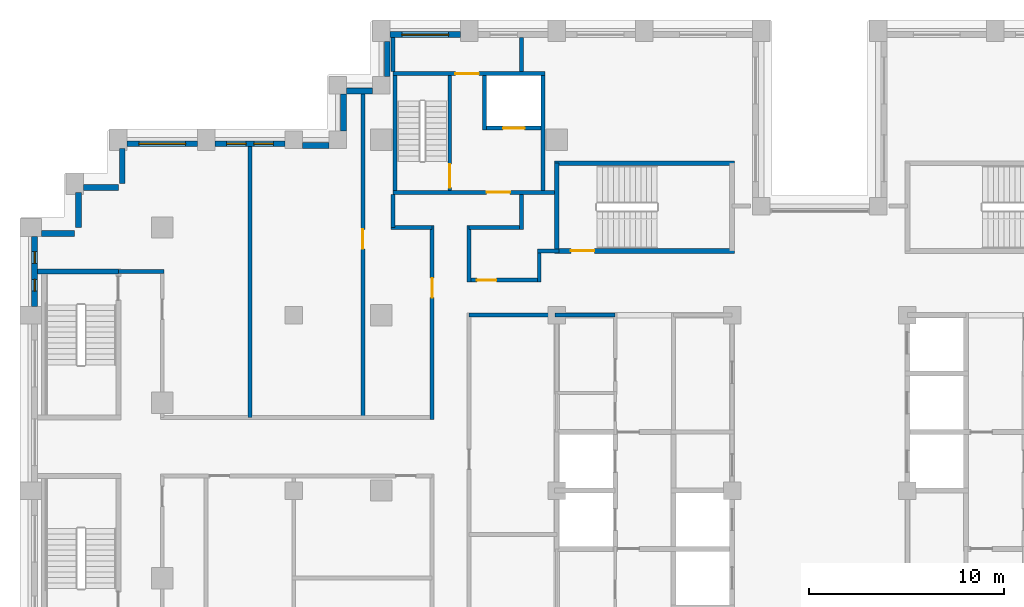
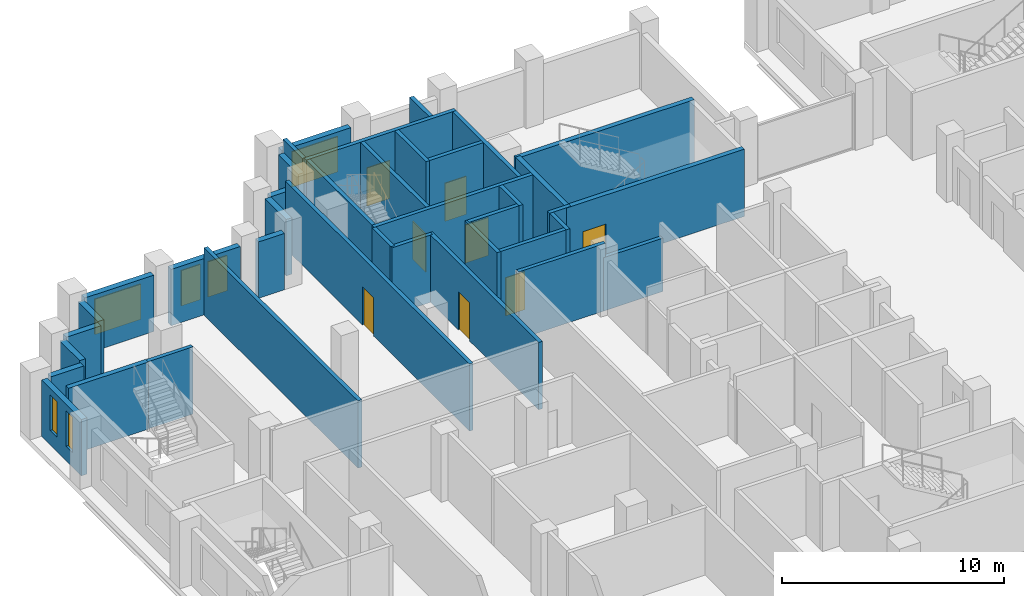
# One storey, part 10 of 16: 39 walls, 8 doors, 6 windows, 14 openings.
"""IFC4 building model written with IfcOpenShell, lengths in metres."""

from ifc_helpers import new_model, si_unit, direction, frame, frame_2d, origin, place, context, subcontext, project, spatial, rectangle, extrude, material, layer, layer_set, type_object, element, fill, save


model = new_model("IFC4")

# Units and contexts
model_context = context("Model", 3, precision=1e-05, world=origin(), true_north=direction((0.0, 1.0)))
body_context = subcontext(model_context, "Body", "Model", "MODEL_VIEW")
ifc_project = project(units=[si_unit("LENGTHUNIT", "METRE"), si_unit("AREAUNIT", "SQUARE_METRE"), si_unit("VOLUMEUNIT", "CUBIC_METRE"), si_unit("PLANEANGLEUNIT", "RADIAN"), si_unit("MASSUNIT", "GRAM", prefix="KILO")], contexts=[model_context])

# Site, building, storey
site_placement = place(None, origin())
site = spatial("IfcSite", under=ifc_project, at=site_placement, CompositionType="ELEMENT")
building_placement = place(site_placement, origin())
building = spatial("IfcBuilding", under=site, at=building_placement, Name="Corbelhall Arena Tower", CompositionType="ELEMENT")
storey_placement = place(building_placement, frame((0.0, 0.0, 150.0)))
storey = spatial("IfcBuildingStorey", under=building, at=storey_placement, Name="L29", CompositionType="ELEMENT", Elevation=150.0)

# Walls
ifc_material_1 = material(Name="Precast concrete C40/50 with granite facing", Category="masonry")
ifc_layer_1 = layer(ifc_material_1, 0.300048828125)
ifc_layer_set_1 = layer_set([ifc_layer_1], Name="EV-IW1 Infill panel 300")
wall_type_1 = type_object("IfcWallType", Name="EV-IW1 Infill panel 300", PredefinedType="SOLIDWALL", material=ifc_layer_set_1)
for number, where, z_axis, x_axis, name in (
    (1, (-35.800048828125, 17.550048828125, 0.0), (0.0, 0.0, 1.0), (0.0, -1.0, 0.0), "Infill panel IW1"),
    (2, (-37.800048828125, 15.550048828125, 0.0), (0.0, 0.0, 1.0), (1.0, 0.0, 0.0), "Infill panel IW1"),
    (3, (-38.050048828125, 15.300048828125, 0.0), (0.0, 0.0, 1.0), (0.0, -1.0, 0.0), "Infill panel IW1"),
):
    element("IfcWall", number, at=place(storey_placement, frame(where, z_axis=z_axis, x_axis=x_axis)), inside=storey, type_object=wall_type_1, Name=name, PredefinedType="SOLIDWALL", context=body_context, shape_type="SweptSolid", body=[
        extrude(rectangle(XDim=1.800048828125, YDim=0.300048828125, at=frame_2d((0.89990234375, 0.0))), origin(), (0.0, 0.0, 1.0), 3.10009765625),
    ])
wall_1_placement = place(storey_placement, frame((-39.949951171875, 13.199951171875, 0.0), z_axis=(0.0, 0.0, 1.0), x_axis=(1.0, 0.0, 0.0)))
element("IfcWall", 4, at=wall_1_placement, inside=storey, type_object=wall_type_1, Name="Infill panel IW1", PredefinedType="SOLIDWALL", context=body_context, shape_type="SweptSolid", body=[
    extrude(rectangle(XDim=1.699951171875, YDim=0.300048828125, at=frame_2d((0.85009765625, 0.0))), origin(), (0.0, 0.0, 1.0), 3.10009765625),
])
wall_2_placement = place(storey_placement, frame((-22.199951171875, 23.050048828125, 0.0), z_axis=(0.0, 0.0, 1.0), x_axis=(0.0, -1.0, 0.0)))
element("IfcWall", 5, at=wall_2_placement, inside=storey, type_object=wall_type_1, Name="Infill panel IW1", PredefinedType="SOLIDWALL", context=body_context, shape_type="SweptSolid", body=[
    extrude(rectangle(XDim=1.800048828125, YDim=0.300048828125, at=frame_2d((0.89990234375, 0.0))), origin(), (0.0, 0.0, 1.0), 3.10009765625),
])
wall_3_placement = place(storey_placement, frame((-22.949951171875, 20.5, 0.0), z_axis=(0.0, 0.0, 1.0), x_axis=(-1.0, 0.0, 0.0)))
element("IfcWall", 6, at=wall_3_placement, inside=storey, type_object=wall_type_1, Name="Infill panel IW1", PredefinedType="SOLIDWALL", context=body_context, shape_type="SweptSolid", body=[
    extrude(rectangle(XDim=1.35009765625, YDim=0.300048828125, at=frame_2d((0.675048828125, 0.0))), origin(), (0.0, 0.0, 1.0), 3.10009765625),
])
wall_4_placement = place(storey_placement, frame((-24.449951171875, 20.35009765625, 0.0), z_axis=(0.0, 0.0, 1.0), x_axis=(0.0, -1.0, 0.0)))
element("IfcWall", 7, at=wall_4_placement, inside=storey, type_object=wall_type_1, Name="Infill panel IW1", PredefinedType="SOLIDWALL", context=body_context, shape_type="SweptSolid", body=[
    extrude(rectangle(XDim=1.900146484375, YDim=0.300048828125, at=frame_2d((0.9501953125, 0.0))), origin(), (0.0, 0.0, 1.0), 3.10009765625),
])
wall_5_placement = place(storey_placement, frame((-25.199951171875, 17.699951171875, 0.0), z_axis=(0.0, 0.0, 1.0), x_axis=(-1.0, 0.0, 0.0)))
element("IfcWall", 8, at=wall_5_placement, inside=storey, type_object=wall_type_1, Name="Infill panel IW1", PredefinedType="SOLIDWALL", context=body_context, shape_type="SweptSolid", body=[
    extrude(rectangle(XDim=1.35009765625, YDim=0.300048828125, at=frame_2d((0.675048828125, 0.0))), origin(), (0.0, 0.0, 1.0), 3.10009765625),
])

# Wall, openings, windows
wall_6_placement = place(storey_placement, frame((-27.449951171875, 17.800048828125, 0.0), z_axis=(0.0, 0.0, 1.0), x_axis=(-1.0, 0.0, 0.0)))
wall_6 = element("IfcWall", 9, at=wall_6_placement, inside=storey, type_object=wall_type_1, Name="Infill panel IW1", PredefinedType="SOLIDWALL", context=body_context, shape_type="SweptSolid", body=[
    extrude(rectangle(XDim=3.60009765625, YDim=0.300048828125, at=frame_2d((1.800048828125, 0.0))), origin(), (0.0, 0.0, 1.0), 3.10009765625),
])
opening_1_placement = place(wall_6_placement, frame((0.60009765625, 0.0, 0.800048828125)))
opening_1 = element("IfcOpeningElement", 10, at=opening_1_placement, cuts=wall_6, Name="Opening WN6", PredefinedType="OPENING", context=body_context, shape_type="SweptSolid", body=[
    extrude(rectangle(XDim=1.0, YDim=1.949951171875, at=frame_2d((0.5, 0.97509765625))), frame((0.0, 0.14990234375, 0.0), z_axis=(0.0, -1.0, 0.0), x_axis=(1.0, 0.0, 0.0)), (0.0, 0.0, 1.0), 0.300048828125),
])
opening_2_placement = place(wall_6_placement, frame((2.0, 0.0, 0.800048828125)))
opening_2 = element("IfcOpeningElement", 11, at=opening_2_placement, cuts=wall_6, Name="Opening WN6", PredefinedType="OPENING", context=body_context, shape_type="SweptSolid", body=[
    extrude(rectangle(XDim=1.0, YDim=1.949951171875, at=frame_2d((0.5, 0.97509765625))), frame((0.0, 0.14990234375, 0.0), z_axis=(0.0, -1.0, 0.0), x_axis=(1.0, 0.0, 0.0)), (0.0, 0.0, 1.0), 0.300048828125),
])
ifc_material_2 = material(Name="Aluminium black anodised", Category="aluminium")
window_type_1 = type_object("IfcWindowType", Name="EV-WN6 Office window 1000", PartitioningType="SINGLE_PANEL", PredefinedType="WINDOW", material=ifc_material_2)
window_1_placement = place(opening_1_placement, origin())
window_1 = element("IfcWindow", 12, at=window_1_placement, inside=storey, type_object=window_type_1, Name="Window WN6", OverallHeight=1.949951171875, OverallWidth=1.0, PartitioningType="SINGLE_PANEL", PredefinedType="WINDOW", context=body_context, shape_type="SweptSolid", body=[
    extrude(rectangle(XDim=1.0, YDim=1.949951171875, at=frame_2d((0.5, 0.97509765625))), frame((0.0, 0.030029296875, 0.0), z_axis=(0.0, -1.0, 0.0), x_axis=(1.0, 0.0, 0.0)), (0.0, 0.0, 1.0), 0.06005859375),
])
fill(opening_1, window_1)
window_2_placement = place(opening_2_placement, origin())
window_2 = element("IfcWindow", 13, at=window_2_placement, inside=storey, type_object=window_type_1, Name="Window WN6", OverallHeight=1.949951171875, OverallWidth=1.0, PartitioningType="SINGLE_PANEL", PredefinedType="WINDOW", context=body_context, shape_type="SweptSolid", body=[
    extrude(rectangle(XDim=1.0, YDim=1.949951171875, at=frame_2d((0.5, 0.97509765625))), frame((0.0, 0.030029296875, 0.0), z_axis=(0.0, -1.0, 0.0), x_axis=(1.0, 0.0, 0.0)), (0.0, 0.0, 1.0), 0.06005859375),
])
fill(opening_2, window_2)

# Wall, opening, window
wall_7_placement = place(storey_placement, frame((-31.949951171875, 17.800048828125, 0.0), z_axis=(0.0, 0.0, 1.0), x_axis=(-1.0, 0.0, 0.0)))
wall_7 = element("IfcWall", 14, at=wall_7_placement, inside=storey, type_object=wall_type_1, Name="Infill panel IW1", PredefinedType="SOLIDWALL", context=body_context, shape_type="SweptSolid", body=[
    extrude(rectangle(XDim=3.60009765625, YDim=0.300048828125, at=frame_2d((1.800048828125, 0.0))), origin(), (0.0, 0.0, 1.0), 3.10009765625),
])
opening_3_placement = place(wall_7_placement, frame((0.60009765625, 0.0, 0.800048828125)))
opening_3 = element("IfcOpeningElement", 15, at=opening_3_placement, cuts=wall_7, Name="Opening WN1", PredefinedType="OPENING", context=body_context, shape_type="SweptSolid", body=[
    extrude(rectangle(XDim=2.39990234375, YDim=1.949951171875, at=frame_2d((1.199951171875, 0.97509765625))), frame((0.0, 0.14990234375, 0.0), z_axis=(0.0, -1.0, 0.0), x_axis=(1.0, 0.0, 0.0)), (0.0, 0.0, 1.0), 0.300048828125),
])
window_type_2 = type_object("IfcWindowType", Name="EV-WN1 Office window", PartitioningType="SINGLE_PANEL", PredefinedType="WINDOW", material=ifc_material_2)
window_3_placement = place(opening_3_placement, origin())
window_3 = element("IfcWindow", 16, at=window_3_placement, inside=storey, type_object=window_type_2, Name="Window WN1", OverallHeight=1.949951171875, OverallWidth=2.39990234375, PartitioningType="SINGLE_PANEL", PredefinedType="WINDOW", context=body_context, shape_type="SweptSolid", body=[
    extrude(rectangle(XDim=2.39990234375, YDim=1.949951171875, at=frame_2d((1.199951171875, 0.97509765625))), frame((0.0, 0.030029296875, 0.0), z_axis=(0.0, -1.0, 0.0), x_axis=(1.0, 0.0, 0.0)), (0.0, 0.0, 1.0), 0.06005859375),
])
fill(opening_3, window_3)

# Wall, openings, windows
wall_8_placement = place(storey_placement, frame((-40.300048828125, 13.050048828125, 0.0), z_axis=(0.0, 0.0, 1.0), x_axis=(0.0, -1.0, 0.0)))
wall_8 = element("IfcWall", 17, at=wall_8_placement, inside=storey, type_object=wall_type_1, Name="Infill panel IW1", PredefinedType="SOLIDWALL", context=body_context, shape_type="SweptSolid", body=[
    extrude(rectangle(XDim=3.60009765625, YDim=0.300048828125, at=frame_2d((1.800048828125, 0.0))), origin(), (0.0, 0.0, 1.0), 3.10009765625),
])
opening_4_placement = place(wall_8_placement, frame((0.78759765625, 0.0, 0.800048828125)))
opening_4 = element("IfcOpeningElement", 18, at=opening_4_placement, cuts=wall_8, Name="Opening WN5", PredefinedType="OPENING", context=body_context, shape_type="SweptSolid", body=[
    extrude(rectangle(XDim=0.60009765625, YDim=1.949951171875, at=frame_2d((0.300048828125, 0.97509765625))), frame((0.0, 0.14990234375, 0.0), z_axis=(0.0, -1.0, 0.0), x_axis=(1.0, 0.0, 0.0)), (0.0, 0.0, 1.0), 0.300048828125),
])
opening_5_placement = place(wall_8_placement, frame((2.21240234375, 0.0, 0.800048828125)))
opening_5 = element("IfcOpeningElement", 19, at=opening_5_placement, cuts=wall_8, Name="Opening WN5", PredefinedType="OPENING", context=body_context, shape_type="SweptSolid", body=[
    extrude(rectangle(XDim=0.60009765625, YDim=1.949951171875, at=frame_2d((0.300048828125, 0.97509765625))), frame((0.0, 0.14990234375, 0.0), z_axis=(0.0, -1.0, 0.0), x_axis=(1.0, 0.0, 0.0)), (0.0, 0.0, 1.0), 0.300048828125),
])
window_type_3 = type_object("IfcWindowType", Name="EV-WN5 Office window 600", PartitioningType="SINGLE_PANEL", PredefinedType="WINDOW", material=ifc_material_2)
window_4_placement = place(opening_4_placement, origin())
window_4 = element("IfcWindow", 20, at=window_4_placement, inside=storey, type_object=window_type_3, Name="Window WN5", OverallHeight=1.949951171875, OverallWidth=0.60009765625, PartitioningType="SINGLE_PANEL", PredefinedType="WINDOW", context=body_context, shape_type="SweptSolid", body=[
    extrude(rectangle(XDim=0.60009765625, YDim=1.949951171875, at=frame_2d((0.300048828125, 0.97509765625))), frame((0.0, 0.030029296875, 0.0), z_axis=(0.0, -1.0, 0.0), x_axis=(1.0, 0.0, 0.0)), (0.0, 0.0, 1.0), 0.06005859375),
])
fill(opening_4, window_4)
window_5_placement = place(opening_5_placement, origin())
window_5 = element("IfcWindow", 21, at=window_5_placement, inside=storey, type_object=window_type_3, Name="Window WN5", OverallHeight=1.949951171875, OverallWidth=0.60009765625, PartitioningType="SINGLE_PANEL", PredefinedType="WINDOW", context=body_context, shape_type="SweptSolid", body=[
    extrude(rectangle(XDim=0.60009765625, YDim=1.949951171875, at=frame_2d((0.300048828125, 0.97509765625))), frame((0.0, 0.030029296875, 0.0), z_axis=(0.0, -1.0, 0.0), x_axis=(1.0, 0.0, 0.0)), (0.0, 0.0, 1.0), 0.06005859375),
])
fill(opening_5, window_5)

# Wall, opening, window
wall_9_placement = place(storey_placement, frame((-18.449951171875, 23.39990234375, 0.0), z_axis=(0.0, 0.0, 1.0), x_axis=(-1.0, 0.0, 0.0)))
wall_9 = element("IfcWall", 22, at=wall_9_placement, inside=storey, type_object=wall_type_1, Name="Infill panel IW1", PredefinedType="SOLIDWALL", context=body_context, shape_type="SweptSolid", body=[
    extrude(rectangle(XDim=3.60009765625, YDim=0.300048828125, at=frame_2d((1.800048828125, 0.0))), origin(), (0.0, 0.0, 1.0), 3.10009765625),
])
opening_6_placement = place(wall_9_placement, frame((0.60009765625, 0.0, 0.800048828125)))
opening_6 = element("IfcOpeningElement", 23, at=opening_6_placement, cuts=wall_9, Name="Opening WN1", PredefinedType="OPENING", context=body_context, shape_type="SweptSolid", body=[
    extrude(rectangle(XDim=2.39990234375, YDim=1.949951171875, at=frame_2d((1.199951171875, 0.97509765625))), frame((0.0, 0.14990234375, 0.0), z_axis=(0.0, -1.0, 0.0), x_axis=(1.0, 0.0, 0.0)), (0.0, 0.0, 1.0), 0.300048828125),
])
window_6_placement = place(opening_6_placement, origin())
window_6 = element("IfcWindow", 24, at=window_6_placement, inside=storey, type_object=window_type_2, Name="Window WN1", OverallHeight=1.949951171875, OverallWidth=2.39990234375, PartitioningType="SINGLE_PANEL", PredefinedType="WINDOW", context=body_context, shape_type="SweptSolid", body=[
    extrude(rectangle(XDim=2.39990234375, YDim=1.949951171875, at=frame_2d((1.199951171875, 0.97509765625))), frame((0.0, 0.030029296875, 0.0), z_axis=(0.0, -1.0, 0.0), x_axis=(1.0, 0.0, 0.0)), (0.0, 0.0, 1.0), 0.06005859375),
])
fill(opening_6, window_6)

# Walls
ifc_material_3 = material(Name="Gypsum board on steel stud, acoustic", Category="steel")
ifc_layer_2 = layer(ifc_material_3, 0.199951171875)
ifc_layer_set_2 = layer_set([ifc_layer_2], Name="IN-W-DM200")
wall_type_2 = type_object("IfcWallType", Name="IN-W-DM200", PredefinedType="PARTITIONING", material=ifc_layer_set_2)
wall_10_placement = place(storey_placement, frame((-36.0, 11.25, 0.0), z_axis=(0.0, 0.0, 1.0), x_axis=(1.0, 0.0, 0.0)))
element("IfcWall", 25, at=wall_10_placement, inside=storey, type_object=wall_type_2, Name="Partition 001", PredefinedType="PARTITIONING", context=body_context, shape_type="SweptSolid", body=[
    extrude(rectangle(XDim=2.35009765625, YDim=0.199951171875, at=frame_2d((1.175048828125, 0.0))), origin(), (0.0, 0.0, 1.0), 3.699951171875),
])
wall_11_placement = place(storey_placement, frame((-29.25, 3.75, 0.0), z_axis=(0.0, 0.0, 1.0), x_axis=(0.0, 1.0, 0.0)))
element("IfcWall", 26, at=wall_11_placement, inside=storey, type_object=wall_type_2, Name="Partition 008", PredefinedType="PARTITIONING", context=body_context, shape_type="SweptSolid", body=[
    extrude(rectangle(XDim=13.89990234375, YDim=0.199951171875, at=frame_2d((6.949951171875, 0.0))), origin(), (0.0, 0.0, 1.0), 3.699951171875),
])

# Wall, opening, door
wall_12_placement = place(storey_placement, frame((-23.449951171875, 3.75, 0.0), z_axis=(0.0, 0.0, 1.0), x_axis=(0.0, 1.0, 0.0)))
wall_12 = element("IfcWall", 27, at=wall_12_placement, inside=storey, type_object=wall_type_2, Name="Partition 012", PredefinedType="PARTITIONING", context=body_context, shape_type="SweptSolid", body=[
    extrude(rectangle(XDim=16.60009765625, YDim=0.199951171875, at=frame_2d((8.300048828125, 0.0))), origin(), (0.0, 0.0, 1.0), 3.699951171875),
])
opening_7_placement = place(wall_12_placement, frame((8.64990234375, 0.0, 0.0)))
opening_7 = element("IfcOpeningElement", 28, at=opening_7_placement, cuts=wall_12, Name="Opening 08032", PredefinedType="OPENING", context=body_context, shape_type="SweptSolid", body=[
    extrude(rectangle(XDim=1.0, YDim=2.10009765625, at=frame_2d((0.5, 1.050048828125))), frame((0.0, 0.10009765625, 0.0), z_axis=(0.0, -1.0, 0.0), x_axis=(1.0, 0.0, 0.0)), (0.0, 0.0, 1.0), 0.199951171875),
])
ifc_material_4 = material(Name="Steel door set", Category="steel")
door_type_1 = type_object("IfcDoorType", Name="IN-D-SW100", OperationType="NOTDEFINED", PredefinedType="DOOR", material=ifc_material_4)
door_1_placement = place(opening_7_placement, origin())
door_1 = element("IfcDoor", 29, at=door_1_placement, inside=storey, type_object=door_type_1, Name="Door 032", OperationType="SINGLE_SWING_LEFT", OverallHeight=2.10009765625, OverallWidth=1.0, PredefinedType="DOOR", context=body_context, shape_type="SweptSolid", body=[
    extrude(rectangle(XDim=1.0, YDim=2.10009765625, at=frame_2d((0.5, 1.050048828125))), frame((0.0, 0.02490234375, 0.0), z_axis=(0.0, -1.0, 0.0), x_axis=(1.0, 0.0, 0.0)), (0.0, 0.0, 1.0), 0.050048828125),
])
fill(opening_7, door_1)

# Walls
wall_13_placement = place(storey_placement, frame((-21.89990234375, 13.5, 0.0), z_axis=(0.0, 0.0, 1.0), x_axis=(0.0, 1.0, 0.0)))
element("IfcWall", 30, at=wall_13_placement, inside=storey, type_object=wall_type_2, Name="Partition 013", PredefinedType="PARTITIONING", context=body_context, shape_type="SweptSolid", body=[
    extrude(rectangle(XDim=1.699951171875, YDim=0.199951171875, at=frame_2d((0.85009765625, 0.0))), origin(), (0.0, 0.0, 1.0), 3.699951171875),
])
wall_14_placement = place(storey_placement, frame((-21.89990234375, 21.5, 0.0), z_axis=(0.0, 0.0, 1.0), x_axis=(0.0, 1.0, 0.0)))
element("IfcWall", 31, at=wall_14_placement, inside=storey, type_object=wall_type_2, Name="Partition 014", PredefinedType="PARTITIONING", context=body_context, shape_type="SweptSolid", body=[
    extrude(rectangle(XDim=1.75, YDim=0.199951171875, at=frame_2d((0.875, 0.0))), origin(), (0.0, 0.0, 1.0), 3.699951171875),
])

# Wall, opening, door
wall_15_placement = place(storey_placement, frame((-19.89990234375, 3.64990234375, 0.0), z_axis=(0.0, 0.0, 1.0), x_axis=(0.0, 1.0, 0.0)))
wall_15 = element("IfcWall", 32, at=wall_15_placement, inside=storey, type_object=wall_type_2, Name="Partition 016", PredefinedType="PARTITIONING", context=body_context, shape_type="SweptSolid", body=[
    extrude(rectangle(XDim=9.9501953125, YDim=0.199951171875, at=frame_2d((4.97509765625, 0.0))), origin(), (0.0, 0.0, 1.0), 3.699951171875),
])
opening_8_placement = place(wall_15_placement, frame((6.25, 0.0, 0.0)))
opening_8 = element("IfcOpeningElement", 33, at=opening_8_placement, cuts=wall_15, Name="Opening 08031", PredefinedType="OPENING", context=body_context, shape_type="SweptSolid", body=[
    extrude(rectangle(XDim=1.0, YDim=2.10009765625, at=frame_2d((0.5, 1.050048828125))), frame((0.0, 0.10009765625, 0.0), z_axis=(0.0, -1.0, 0.0), x_axis=(1.0, 0.0, 0.0)), (0.0, 0.0, 1.0), 0.199951171875),
])
door_2_placement = place(opening_8_placement, origin())
door_2 = element("IfcDoor", 34, at=door_2_placement, inside=storey, type_object=door_type_1, Name="Door 031", OperationType="SINGLE_SWING_RIGHT", OverallHeight=2.10009765625, OverallWidth=1.0, PredefinedType="DOOR", context=body_context, shape_type="SweptSolid", body=[
    extrude(rectangle(XDim=1.0, YDim=2.10009765625, at=frame_2d((0.5, 1.050048828125))), frame((0.0, 0.02490234375, 0.0), z_axis=(0.0, -1.0, 0.0), x_axis=(1.0, 0.0, 0.0)), (0.0, 0.0, 1.0), 0.050048828125),
])
fill(opening_8, door_2)

# Wall
wall_16_placement = place(storey_placement, frame((-19.89990234375, 13.5, 0.0), z_axis=(0.0, 0.0, 1.0), x_axis=(-1.0, 0.0, 0.0)))
element("IfcWall", 35, at=wall_16_placement, inside=storey, type_object=wall_type_2, Name="Partition 017", PredefinedType="PARTITIONING", context=body_context, shape_type="SweptSolid", body=[
    extrude(rectangle(XDim=2.10009765625, YDim=0.199951171875, at=frame_2d((1.050048828125, 0.0))), origin(), (0.0, 0.0, 1.0), 3.699951171875),
])

# Wall, opening, door
wall_17_placement = place(storey_placement, frame((-18.0, 10.800048828125, 0.0), z_axis=(0.0, 0.0, 1.0), x_axis=(1.0, 0.0, 0.0)))
wall_17 = element("IfcWall", 36, at=wall_17_placement, inside=storey, type_object=wall_type_2, Name="Partition 022", PredefinedType="PARTITIONING", context=body_context, shape_type="SweptSolid", body=[
    extrude(rectangle(XDim=3.60009765625, YDim=0.199951171875, at=frame_2d((1.800048828125, 0.0))), origin(), (0.0, 0.0, 1.0), 3.699951171875),
])
opening_9_placement = place(wall_17_placement, frame((0.39990234375, 0.0, 0.0)))
opening_9 = element("IfcOpeningElement", 37, at=opening_9_placement, cuts=wall_17, Name="Opening 08027", PredefinedType="OPENING", context=body_context, shape_type="SweptSolid", body=[
    extrude(rectangle(XDim=1.0, YDim=2.10009765625, at=frame_2d((0.5, 1.050048828125))), frame((0.0, 0.10009765625, 0.0), z_axis=(0.0, -1.0, 0.0), x_axis=(1.0, 0.0, 0.0)), (0.0, 0.0, 1.0), 0.199951171875),
])
door_3_placement = place(opening_9_placement, origin())
door_3 = element("IfcDoor", 38, at=door_3_placement, inside=storey, type_object=door_type_1, Name="Door 027", OperationType="SINGLE_SWING_RIGHT", OverallHeight=2.10009765625, OverallWidth=1.0, PredefinedType="DOOR", context=body_context, shape_type="SweptSolid", body=[
    extrude(rectangle(XDim=1.0, YDim=2.10009765625, at=frame_2d((0.5, 1.050048828125))), frame((0.0, 0.02490234375, 0.0), z_axis=(0.0, -1.0, 0.0), x_axis=(1.0, 0.0, 0.0)), (0.0, 0.0, 1.0), 0.050048828125),
])
fill(opening_9, door_3)

# Walls
wall_18_placement = place(storey_placement, frame((-18.0, 13.60009765625, 0.0), z_axis=(0.0, 0.0, 1.0), x_axis=(0.0, -1.0, 0.0)))
element("IfcWall", 39, at=wall_18_placement, inside=storey, type_object=wall_type_2, Name="Partition 023", PredefinedType="PARTITIONING", context=body_context, shape_type="SweptSolid", body=[
    extrude(rectangle(XDim=2.900146484375, YDim=0.199951171875, at=frame_2d((1.4501953125, 0.0))), origin(), (0.0, 0.0, 1.0), 3.699951171875),
])
wall_19_placement = place(storey_placement, frame((-15.300048828125, 13.5, 0.0), z_axis=(0.0, 0.0, 1.0), x_axis=(-1.0, 0.0, 0.0)))
element("IfcWall", 40, at=wall_19_placement, inside=storey, type_object=wall_type_2, Name="Partition 024", PredefinedType="PARTITIONING", context=body_context, shape_type="SweptSolid", body=[
    extrude(rectangle(XDim=2.699951171875, YDim=0.199951171875, at=frame_2d((1.35009765625, 0.0))), origin(), (0.0, 0.0, 1.0), 3.699951171875),
])
wall_20_placement = place(storey_placement, frame((-15.300048828125, 15.199951171875, 0.0), z_axis=(0.0, 0.0, 1.0), x_axis=(0.0, -1.0, 0.0)))
element("IfcWall", 41, at=wall_20_placement, inside=storey, type_object=wall_type_2, Name="Partition 025", PredefinedType="PARTITIONING", context=body_context, shape_type="SweptSolid", body=[
    extrude(rectangle(XDim=1.800048828125, YDim=0.199951171875, at=frame_2d((0.89990234375, 0.0))), origin(), (0.0, 0.0, 1.0), 3.699951171875),
])
wall_21_placement = place(storey_placement, frame((-15.300048828125, 23.25, 0.0), z_axis=(0.0, 0.0, 1.0), x_axis=(0.0, -1.0, 0.0)))
element("IfcWall", 42, at=wall_21_placement, inside=storey, type_object=wall_type_2, Name="Partition 026", PredefinedType="PARTITIONING", context=body_context, shape_type="SweptSolid", body=[
    extrude(rectangle(XDim=1.75, YDim=0.199951171875, at=frame_2d((0.875, 0.0))), origin(), (0.0, 0.0, 1.0), 3.699951171875),
])
wall_22_placement = place(storey_placement, frame((-14.5, 12.300048828125, 0.0), z_axis=(0.0, 0.0, 1.0), x_axis=(1.0, 0.0, 0.0)))
element("IfcWall", 43, at=wall_22_placement, inside=storey, type_object=wall_type_2, Name="Partition 027", PredefinedType="PARTITIONING", context=body_context, shape_type="SweptSolid", body=[
    extrude(rectangle(XDim=1.125, YDim=0.199951171875, at=frame_2d((0.5625, 0.0))), origin(), (0.0, 0.0, 1.0), 3.699951171875),
])
wall_23_placement = place(storey_placement, frame((-13.5, 9.0, 0.0), z_axis=(0.0, 0.0, 1.0), x_axis=(-1.0, 0.0, 0.0)))
element("IfcWall", 44, at=wall_23_placement, inside=storey, type_object=wall_type_2, Name="Partition 030", PredefinedType="PARTITIONING", context=body_context, shape_type="SweptSolid", body=[
    extrude(rectangle(XDim=4.5, YDim=0.199951171875, at=frame_2d((2.25, 0.0))), origin(), (0.0, 0.0, 1.0), 3.699951171875),
])
wall_24_placement = place(storey_placement, frame((-14.39990234375, 10.699951171875, 0.0), z_axis=(0.0, 0.0, 1.0), x_axis=(0.0, 1.0, 0.0)))
element("IfcWall", 45, at=wall_24_placement, inside=storey, type_object=wall_type_2, Name="Partition 031", PredefinedType="PARTITIONING", context=body_context, shape_type="SweptSolid", body=[
    extrude(rectangle(XDim=1.60009765625, YDim=0.199951171875, at=frame_2d((0.800048828125, 0.0))), origin(), (0.0, 0.0, 1.0), 3.699951171875),
])

# Wall, opening, door
ifc_material_5 = material(Name="Concrete C40/50", Category="concrete")
ifc_layer_3 = layer(ifc_material_5, 0.199951171875)
ifc_layer_set_3 = layer_set([ifc_layer_3], Name="IN-W-EAR200")
wall_type_3 = type_object("IfcWallType", Name="IN-W-EAR200", PredefinedType="SOLIDWALL", material=ifc_layer_set_3)
wall_25_placement = place(storey_placement, frame((-21.89990234375, 15.300048828125, 0.0), z_axis=(0.0, 0.0, 1.0), x_axis=(1.0, 0.0, 0.0)))
wall_25 = element("IfcWall", 46, at=wall_25_placement, inside=storey, type_object=wall_type_3, Name="Fire service turret wall south", PredefinedType="SOLIDWALL", context=body_context, shape_type="SweptSolid", body=[
    extrude(rectangle(XDim=8.27490234375, YDim=0.199951171875, at=frame_2d((4.137451171875, 0.0))), origin(), (0.0, 0.0, 1.0), 3.699951171875),
])
opening_10_placement = place(wall_25_placement, frame((4.800048828125, 0.0, 0.0)))
opening_10 = element("IfcOpeningElement", 47, at=opening_10_placement, cuts=wall_25, Name="Opening E082", PredefinedType="OPENING", context=body_context, shape_type="SweptSolid", body=[
    extrude(rectangle(XDim=1.199951171875, YDim=2.10009765625, at=frame_2d((0.60009765625, 1.050048828125))), frame((0.0, 0.10009765625, 0.0), z_axis=(0.0, -1.0, 0.0), x_axis=(1.0, 0.0, 0.0)), (0.0, 0.0, 1.0), 0.199951171875),
])
door_type_2 = type_object("IfcDoorType", Name="IN-D-ST120", OperationType="NOTDEFINED", PredefinedType="DOOR", material=ifc_material_4)
door_4_placement = place(opening_10_placement, origin())
door_4 = element("IfcDoor", 48, at=door_4_placement, inside=storey, type_object=door_type_2, Name="Door from fire service lift lobby to circulation", OperationType="SINGLE_SWING_RIGHT", OverallHeight=2.10009765625, OverallWidth=1.199951171875, PredefinedType="DOOR", context=body_context, shape_type="SweptSolid", body=[
    extrude(rectangle(XDim=1.199951171875, YDim=2.10009765625, at=frame_2d((0.60009765625, 1.050048828125))), frame((0.0, 0.02490234375, 0.0), z_axis=(0.0, -1.0, 0.0), x_axis=(1.0, 0.0, 0.0)), (0.0, 0.0, 1.0), 0.050048828125),
])
fill(opening_10, door_4)

wall_26_placement = place(storey_placement, frame((-21.89990234375, 21.39990234375, 0.0), z_axis=(0.0, 0.0, 1.0), x_axis=(1.0, 0.0, 0.0)))
wall_26 = element("IfcWall", 49, at=wall_26_placement, inside=storey, type_object=wall_type_3, Name="Fire service turret wall north", PredefinedType="SOLIDWALL", context=body_context, shape_type="SweptSolid", body=[
    extrude(rectangle(XDim=7.7998046875, YDim=0.199951171875, at=frame_2d((3.89990234375, 0.0))), origin(), (0.0, 0.0, 1.0), 3.699951171875),
])
opening_11_placement = place(wall_26_placement, frame((3.199951171875, 0.0, 0.0)))
opening_11 = element("IfcOpeningElement", 50, at=opening_11_placement, cuts=wall_26, Name="Opening E083", PredefinedType="OPENING", context=body_context, shape_type="SweptSolid", body=[
    extrude(rectangle(XDim=1.199951171875, YDim=2.10009765625, at=frame_2d((0.60009765625, 1.050048828125))), frame((0.0, 0.10009765625, 0.0), z_axis=(0.0, -1.0, 0.0), x_axis=(1.0, 0.0, 0.0)), (0.0, 0.0, 1.0), 0.199951171875),
])
door_5_placement = place(opening_11_placement, origin())
door_5 = element("IfcDoor", 51, at=door_5_placement, inside=storey, type_object=door_type_2, Name="Door from fire service lift lobby to the north gallery", OperationType="SINGLE_SWING_LEFT", OverallHeight=2.10009765625, OverallWidth=1.199951171875, PredefinedType="DOOR", context=body_context, shape_type="SweptSolid", body=[
    extrude(rectangle(XDim=1.199951171875, YDim=2.10009765625, at=frame_2d((0.60009765625, 1.050048828125))), frame((0.0, 0.02490234375, 0.0), z_axis=(0.0, -1.0, 0.0), x_axis=(1.0, 0.0, 0.0)), (0.0, 0.0, 1.0), 0.050048828125),
])
fill(opening_11, door_5)

# Walls
for number, where, z_axis, x_axis, name in (
    (52, (-21.800048828125, 15.39990234375, 0.0), (0.0, 0.0, 1.0), (0.0, 1.0, 0.0), "Fire service turret wall west"),
    (53, (-14.199951171875, 15.39990234375, 0.0), (0.0, 0.0, 1.0), (0.0, 1.0, 0.0), "Fire service turret wall east"),
):
    element("IfcWall", number, at=place(storey_placement, frame(where, z_axis=z_axis, x_axis=x_axis)), inside=storey, type_object=wall_type_3, Name=name, PredefinedType="SOLIDWALL", context=body_context, shape_type="SweptSolid", body=[
        extrude(rectangle(XDim=5.900146484375, YDim=0.199951171875, at=frame_2d((2.9501953125, 0.0))), origin(), (0.0, 0.0, 1.0), 3.699951171875),
    ])

# Wall, opening, door
wall_27_placement = place(storey_placement, frame((-18.989990234375, 15.39990234375, 0.0), z_axis=(0.0, 0.0, 1.0), x_axis=(0.0, 1.0, 0.0)))
wall_27 = element("IfcWall", 54, at=wall_27_placement, inside=storey, type_object=wall_type_3, Name="Fire service turret wall stair", PredefinedType="SOLIDWALL", context=body_context, shape_type="SweptSolid", body=[
    extrude(rectangle(XDim=5.900146484375, YDim=0.199951171875, at=frame_2d((2.9501953125, 0.0))), origin(), (0.0, 0.0, 1.0), 3.699951171875),
])
opening_12_placement = place(wall_27_placement, frame((0.14990234375, 0.0, 0.0)))
opening_12 = element("IfcOpeningElement", 55, at=opening_12_placement, cuts=wall_27, Name="Opening E081", PredefinedType="OPENING", context=body_context, shape_type="SweptSolid", body=[
    extrude(rectangle(XDim=1.199951171875, YDim=2.10009765625, at=frame_2d((0.60009765625, 1.050048828125))), frame((0.0, 0.10009765625, 0.0), z_axis=(0.0, -1.0, 0.0), x_axis=(1.0, 0.0, 0.0)), (0.0, 0.0, 1.0), 0.199951171875),
])
door_6_placement = place(opening_12_placement, origin())
door_6 = element("IfcDoor", 56, at=door_6_placement, inside=storey, type_object=door_type_2, Name="Stair door to fire service lobby", OperationType="SINGLE_SWING_LEFT", OverallHeight=2.10009765625, OverallWidth=1.199951171875, PredefinedType="DOOR", context=body_context, shape_type="SweptSolid", body=[
    extrude(rectangle(XDim=1.199951171875, YDim=2.10009765625, at=frame_2d((0.60009765625, 1.050048828125))), frame((0.0, 0.02490234375, 0.0), z_axis=(0.0, -1.0, 0.0), x_axis=(1.0, 0.0, 0.0)), (0.0, 0.0, 1.0), 0.050048828125),
])
fill(opening_12, door_6)

# Wall
wall_28_placement = place(storey_placement, frame((-17.199951171875, 18.5, 0.0), z_axis=(0.0, 0.0, 1.0), x_axis=(0.0, 1.0, 0.0)))
element("IfcWall", 57, at=wall_28_placement, inside=storey, type_object=wall_type_3, Name="Fire service turret wall hoistway west", PredefinedType="SOLIDWALL", context=body_context, shape_type="SweptSolid", body=[
    extrude(rectangle(XDim=2.800048828125, YDim=0.199951171875, at=frame_2d((1.39990234375, 0.0))), origin(), (0.0, 0.0, 1.0), 3.699951171875),
])

# Wall, opening, door
wall_29_placement = place(storey_placement, frame((-17.10009765625, 18.60009765625, 0.0), z_axis=(0.0, 0.0, 1.0), x_axis=(1.0, 0.0, 0.0)))
wall_29 = element("IfcWall", 58, at=wall_29_placement, inside=storey, type_object=wall_type_3, Name="Fire service turret wall hoistway south", PredefinedType="SOLIDWALL", context=body_context, shape_type="SweptSolid", body=[
    extrude(rectangle(XDim=2.800048828125, YDim=0.199951171875, at=frame_2d((1.39990234375, 0.0))), origin(), (0.0, 0.0, 1.0), 3.699951171875),
])
opening_13_placement = place(wall_29_placement, frame((0.85009765625, 0.0, 0.0)))
opening_13 = element("IfcOpeningElement", 59, at=opening_13_placement, cuts=wall_29, Name="Opening LD", PredefinedType="OPENING", context=body_context, shape_type="SweptSolid", body=[
    extrude(rectangle(XDim=1.10009765625, YDim=2.10009765625, at=frame_2d((0.550048828125, 1.050048828125))), frame((0.0, 0.10009765625, 0.0), z_axis=(0.0, -1.0, 0.0), x_axis=(1.0, 0.0, 0.0)), (0.0, 0.0, 1.0), 0.199951171875),
])
door_type_3 = type_object("IfcDoorType", Name="IN-D-LD110", OperationType="NOTDEFINED", PredefinedType="DOOR", material=ifc_material_4)
door_7_placement = place(opening_13_placement, origin())
door_7 = element("IfcDoor", 60, at=door_7_placement, inside=storey, type_object=door_type_3, Name="Landing door FS1", OperationType="SLIDING_TO_LEFT", OverallHeight=2.10009765625, OverallWidth=1.10009765625, PredefinedType="DOOR", context=body_context, shape_type="SweptSolid", body=[
    extrude(rectangle(XDim=1.10009765625, YDim=2.10009765625, at=frame_2d((0.550048828125, 1.050048828125))), frame((0.0, 0.02490234375, 0.0), z_axis=(0.0, -1.0, 0.0), x_axis=(1.0, 0.0, 0.0)), (0.0, 0.0, 1.0), 0.050048828125),
])
fill(opening_13, door_7)

# Walls
ifc_material_6 = material(Name="Concrete block wall", Category="concrete")
ifc_layer_4 = layer(ifc_material_6, 0.199951171875)
ifc_layer_set_4 = layer_set([ifc_layer_4], Name="IN-W-RS200 under beam 762 mm")
wall_type_4 = type_object("IfcWallType", Name="IN-W-RS200 under beam 762 mm", PredefinedType="SOLIDWALL", material=ifc_layer_set_4)
wall_30_placement = place(storey_placement, frame((-13.60009765625, 9.0, 0.0), z_axis=(0.0, 0.0, 1.0), x_axis=(1.0, 0.0, 0.0)))
element("IfcWall", 61, at=wall_30_placement, inside=storey, type_object=wall_type_4, Name="Partition 064", PredefinedType="SOLIDWALL", context=body_context, shape_type="SweptSolid", body=[
    extrude(rectangle(XDim=3.10009765625, YDim=0.199951171875, at=frame_2d((1.550048828125, 0.0))), origin(), (0.0, 0.0, 1.0), 2.93798828125),
])
ifc_layer_5 = layer(ifc_material_5, 0.25)
ifc_layer_set_5 = layer_set([ifc_layer_5], Name="IN-W-ST250")
wall_type_5 = type_object("IfcWallType", Name="IN-W-ST250", PredefinedType="SOLIDWALL", material=ifc_layer_set_5)
wall_31_placement = place(storey_placement, frame((-40.14990234375, 11.25, 0.0), z_axis=(0.0, 0.0, 1.0), x_axis=(1.0, 0.0, 0.0)))
element("IfcWall", 62, at=wall_31_placement, inside=storey, type_object=wall_type_5, Name="Shaft wall 102", PredefinedType="SOLIDWALL", context=body_context, shape_type="SweptSolid", body=[
    extrude(rectangle(XDim=4.14990234375, YDim=0.25, at=frame_2d((2.074951171875, 0.0))), origin(), (0.0, 0.0, 1.0), 3.699951171875),
])

# Wall, opening, door
wall_32_placement = place(storey_placement, frame((-13.625, 12.300048828125, 0.0), z_axis=(0.0, 0.0, 1.0), x_axis=(1.0, 0.0, 0.0)))
wall_32 = element("IfcWall", 63, at=wall_32_placement, inside=storey, type_object=wall_type_5, Name="Shaft wall 107", PredefinedType="SOLIDWALL", context=body_context, shape_type="SweptSolid", body=[
    extrude(rectangle(XDim=9.25, YDim=0.25, at=frame_2d((4.625, 0.0))), origin(), (0.0, 0.0, 1.0), 3.699951171875),
])
opening_14_placement = place(wall_32_placement, frame((0.85009765625, 0.0, 0.0)))
opening_14 = element("IfcOpeningElement", 64, at=opening_14_placement, cuts=wall_32, Name="Opening 08015", PredefinedType="OPENING", context=body_context, shape_type="SweptSolid", body=[
    extrude(rectangle(XDim=1.199951171875, YDim=2.10009765625, at=frame_2d((0.60009765625, 1.050048828125))), frame((0.0, 0.125, 0.0), z_axis=(0.0, -1.0, 0.0), x_axis=(1.0, 0.0, 0.0)), (0.0, 0.0, 1.0), 0.25),
])
door_8_placement = place(opening_14_placement, origin())
door_8 = element("IfcDoor", 65, at=door_8_placement, inside=storey, type_object=door_type_2, Name="Door 015", OperationType="SINGLE_SWING_RIGHT", OverallHeight=2.10009765625, OverallWidth=1.199951171875, PredefinedType="DOOR", context=body_context, shape_type="SweptSolid", body=[
    extrude(rectangle(XDim=1.199951171875, YDim=2.10009765625, at=frame_2d((0.60009765625, 1.050048828125))), frame((0.0, 0.02490234375, 0.0), z_axis=(0.0, -1.0, 0.0), x_axis=(1.0, 0.0, 0.0)), (0.0, 0.0, 1.0), 0.050048828125),
])
fill(opening_14, door_8)

# Walls
wall_33_placement = place(storey_placement, frame((-13.625, 16.800048828125, 0.0), z_axis=(0.0, 0.0, 1.0), x_axis=(1.0, 0.0, 0.0)))
element("IfcWall", 66, at=wall_33_placement, inside=storey, type_object=wall_type_5, Name="Shaft wall 108", PredefinedType="SOLIDWALL", context=body_context, shape_type="SweptSolid", body=[
    extrude(rectangle(XDim=9.25, YDim=0.25, at=frame_2d((4.625, 0.0))), origin(), (0.0, 0.0, 1.0), 3.699951171875),
])
wall_34_placement = place(storey_placement, frame((-13.5, 12.300048828125, 0.0), z_axis=(0.0, 0.0, 1.0), x_axis=(0.0, 1.0, 0.0)))
element("IfcWall", 67, at=wall_34_placement, inside=storey, type_object=wall_type_5, Name="Shaft wall 110", PredefinedType="SOLIDWALL", context=body_context, shape_type="SweptSolid", body=[
    extrude(rectangle(XDim=4.5, YDim=0.25, at=frame_2d((2.25, 0.0))), origin(), (0.0, 0.0, 1.0), 3.699951171875),
])

save(model, "model.ifc")
